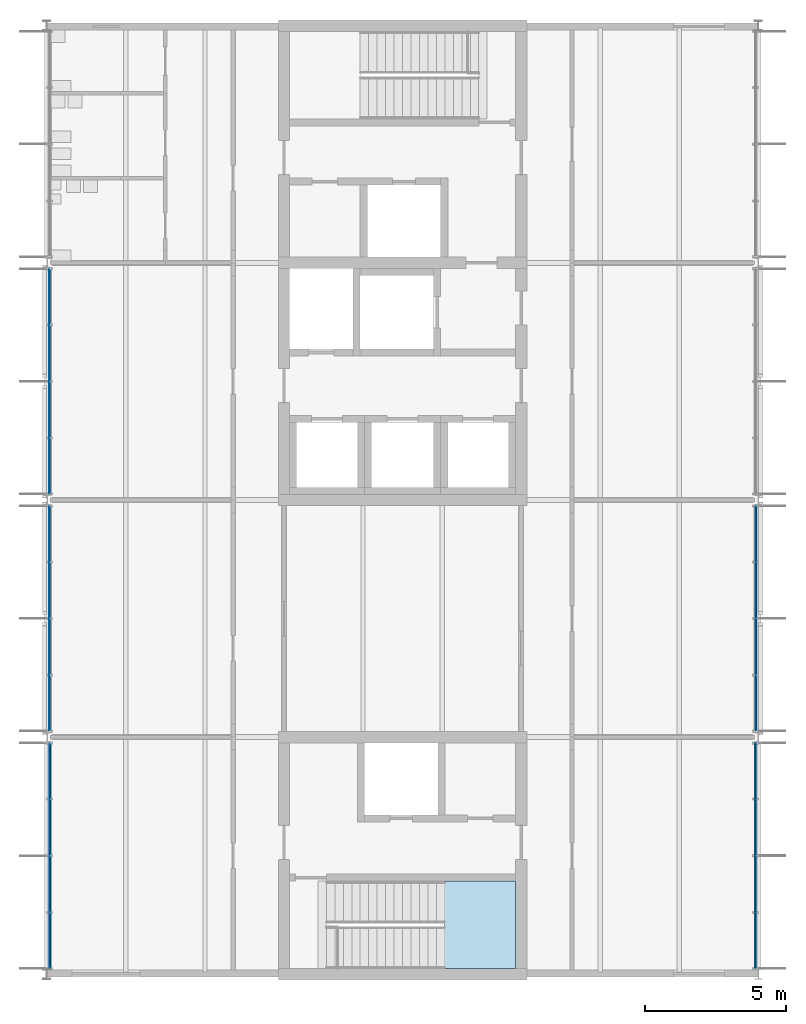
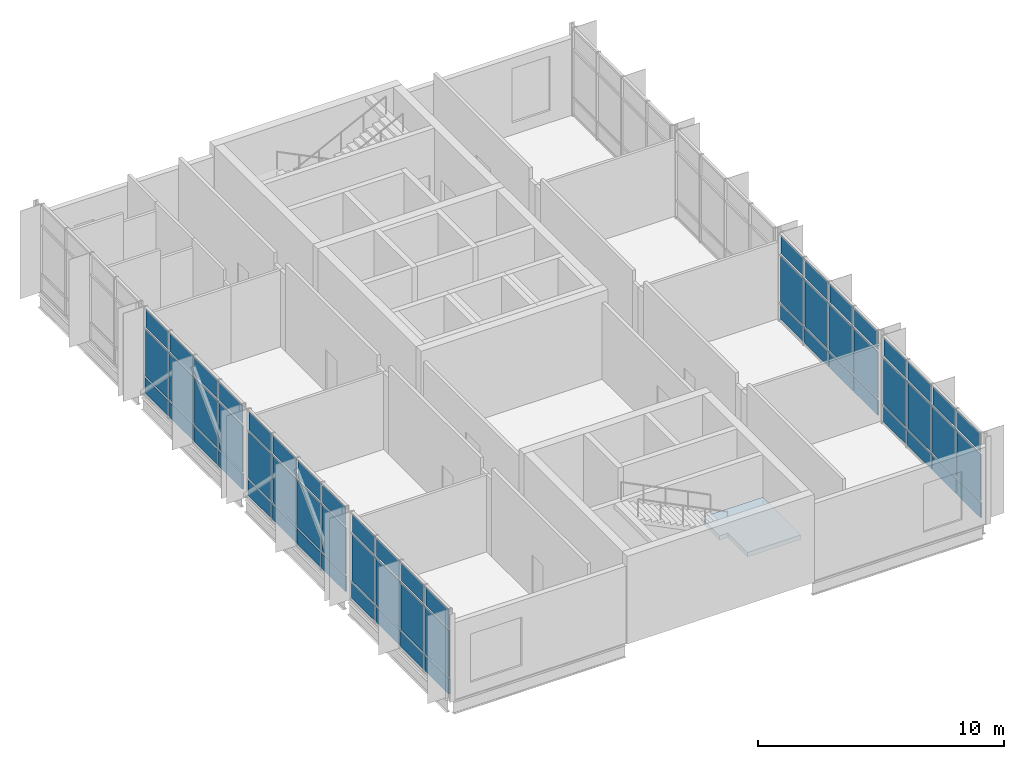
# One storey, part 7 of 17: 60 plates, 1 slab, 6 elements without a shape of their own.
"""IFC4 building model written with IfcOpenShell, lengths in metres."""

from ifc_helpers import new_model, si_unit, direction, frame, origin, origin_2d, place, context, subcontext, project, spatial, polyline, rectangle, outline, extrude, material, layer, layer_set, type_object, element, aggregate, save


model = new_model("IFC4")

# Units and contexts
model_context = context("Model", 3, precision=1e-05, world=origin(), true_north=direction((0.0, 1.0)))
body_context = subcontext(model_context, "Body", "Model", "MODEL_VIEW")
ifc_project = project(units=[si_unit("LENGTHUNIT", "METRE"), si_unit("AREAUNIT", "SQUARE_METRE"), si_unit("VOLUMEUNIT", "CUBIC_METRE"), si_unit("PLANEANGLEUNIT", "RADIAN"), si_unit("MASSUNIT", "GRAM", prefix="KILO")], contexts=[model_context])

# Site, building, storey
site_placement = place(None, origin())
site = spatial("IfcSite", under=ifc_project, at=site_placement, CompositionType="ELEMENT")
building_placement = place(site_placement, origin())
building = spatial("IfcBuilding", under=site, at=building_placement, Name="Hlaing Beacon Police Headquarters", CompositionType="ELEMENT")
storey_placement = place(building_placement, frame((0.0, 0.0, 36.89990234375)))
storey = spatial("IfcBuildingStorey", under=building, at=storey_placement, Name="L08", CompositionType="ELEMENT", Elevation=36.89990234375)

# Curtain wall, plates
ifc_material_1 = material(Name="Aluminium frame with solar control glazing", Category="aluminium")
curtain_wall_type = type_object("IfcCurtainWallType", Name="Unitised curtain wall 8.04 x 4.37", PredefinedType="NOTDEFINED", material=ifc_material_1)
curtain_wall_1_placement = place(storey_placement, origin())
curtain_wall_1 = element("IfcCurtainWall", 1, at=curtain_wall_1_placement, inside=storey, type_object=curtain_wall_type, Name="ENV-CW-L08-E001", PredefinedType="NOTDEFINED")
ifc_material_2 = material(Name="Solar control glazing", Category="glass")
ifc_layer_1 = layer(ifc_material_2, 0.0439453125)
ifc_layer_set_1 = layer_set([ifc_layer_1], Name="Solar control glazing")
plate_type_1 = type_object("IfcPlateType", Name="Clear glazing panel 44", PredefinedType="CURTAIN_PANEL", material=ifc_layer_set_1)
plate_1_placement = place(storey_placement, frame((125.89990234375, 36.79541015625, 0.9501953125), z_axis=(0.0, 0.0, 1.0), x_axis=(0.0, 1.0, 0.0)))
plate_1 = element("IfcPlate", 2, at=plate_1_placement, type_object=plate_type_1, Name="CW-L08-E001 panel 2.2", PredefinedType="CURTAIN_PANEL", context=body_context, shape_type="SweptSolid", body=[
    extrude(rectangle(XDim=1.94921875, YDim=0.0439453125, at=origin_2d()), origin(), (0.0, 0.0, 1.0), 2.300048828125),
])
plate_2_placement = place(storey_placement, frame((125.89990234375, 40.798828125, 0.9501953125), z_axis=(0.0, 0.0, 1.0), x_axis=(0.0, 1.0, 0.0)))
plate_2 = element("IfcPlate", 3, at=plate_2_placement, type_object=plate_type_1, Name="CW-L08-E001 panel 4.2", PredefinedType="CURTAIN_PANEL", context=body_context, shape_type="SweptSolid", body=[
    extrude(rectangle(XDim=1.919189453125, YDim=0.0439453125, at=origin_2d()), origin(), (0.0, 0.0, 1.0), 2.300048828125),
])

curtain_wall_2_placement = place(storey_placement, origin())
curtain_wall_2 = element("IfcCurtainWall", 4, at=curtain_wall_2_placement, inside=storey, type_object=curtain_wall_type, Name="ENV-CW-L08-E002", PredefinedType="NOTDEFINED")
plate_3_placement = place(storey_placement, frame((125.909912109375, 45.1953125, 0.9501953125), z_axis=(0.0, 0.0, 1.0), x_axis=(0.0, 1.0, 0.0)))
plate_3 = element("IfcPlate", 5, at=plate_3_placement, type_object=plate_type_1, Name="CW-L08-E002 panel 2.2", PredefinedType="CURTAIN_PANEL", context=body_context, shape_type="SweptSolid", body=[
    extrude(rectangle(XDim=1.94921875, YDim=0.0439453125, at=origin_2d()), origin(), (0.0, 0.0, 1.0), 2.300048828125),
])
plate_4_placement = place(storey_placement, frame((125.909912109375, 49.19873046875, 0.9501953125), z_axis=(0.0, 0.0, 1.0), x_axis=(0.0, 1.0, 0.0)))
plate_4 = element("IfcPlate", 6, at=plate_4_placement, type_object=plate_type_1, Name="CW-L08-E002 panel 4.2", PredefinedType="CURTAIN_PANEL", context=body_context, shape_type="SweptSolid", body=[
    extrude(rectangle(XDim=1.919189453125, YDim=0.0439453125, at=origin_2d()), origin(), (0.0, 0.0, 1.0), 2.300048828125),
])

curtain_wall_3_placement = place(storey_placement, origin())
curtain_wall_3 = element("IfcCurtainWall", 7, at=curtain_wall_3_placement, inside=storey, type_object=curtain_wall_type, Name="ENV-CW-L08-W006", PredefinedType="NOTDEFINED")
plate_5_placement = place(storey_placement, frame((100.889892578125, 55.6044921875, 0.9501953125), z_axis=(0.0, 0.0, 1.0), x_axis=(0.0, -1.0, 0.0)))
plate_5 = element("IfcPlate", 8, at=plate_5_placement, type_object=plate_type_1, Name="CW-L08-W006 panel 2.2", PredefinedType="CURTAIN_PANEL", context=body_context, shape_type="SweptSolid", body=[
    extrude(rectangle(XDim=1.94921875, YDim=0.0439453125, at=origin_2d()), origin(), (0.0, 0.0, 1.0), 2.300048828125),
])
plate_6_placement = place(storey_placement, frame((100.889892578125, 51.601318359375, 0.9501953125), z_axis=(0.0, 0.0, 1.0), x_axis=(0.0, -1.0, 0.0)))
plate_6 = element("IfcPlate", 9, at=plate_6_placement, type_object=plate_type_1, Name="CW-L08-W006 panel 4.2", PredefinedType="CURTAIN_PANEL", context=body_context, shape_type="SweptSolid", body=[
    extrude(rectangle(XDim=1.919189453125, YDim=0.0439453125, at=origin_2d()), origin(), (0.0, 0.0, 1.0), 2.300048828125),
])

curtain_wall_4_placement = place(storey_placement, origin())
curtain_wall_4 = element("IfcCurtainWall", 10, at=curtain_wall_4_placement, inside=storey, type_object=curtain_wall_type, Name="ENV-CW-L08-W007", PredefinedType="NOTDEFINED")
plate_7_placement = place(storey_placement, frame((100.889892578125, 47.20458984375, 0.9501953125), z_axis=(0.0, 0.0, 1.0), x_axis=(0.0, -1.0, 0.0)))
plate_7 = element("IfcPlate", 11, at=plate_7_placement, type_object=plate_type_1, Name="CW-L08-W007 panel 2.2", PredefinedType="CURTAIN_PANEL", context=body_context, shape_type="SweptSolid", body=[
    extrude(rectangle(XDim=1.94921875, YDim=0.0439453125, at=origin_2d()), origin(), (0.0, 0.0, 1.0), 2.300048828125),
])
plate_8_placement = place(storey_placement, frame((100.889892578125, 43.201171875, 0.9501953125), z_axis=(0.0, 0.0, 1.0), x_axis=(0.0, -1.0, 0.0)))
plate_8 = element("IfcPlate", 12, at=plate_8_placement, type_object=plate_type_1, Name="CW-L08-W007 panel 4.2", PredefinedType="CURTAIN_PANEL", context=body_context, shape_type="SweptSolid", body=[
    extrude(rectangle(XDim=1.919189453125, YDim=0.0439453125, at=origin_2d()), origin(), (0.0, 0.0, 1.0), 2.300048828125),
])

curtain_wall_5_placement = place(storey_placement, origin())
curtain_wall_5 = element("IfcCurtainWall", 13, at=curtain_wall_5_placement, inside=storey, type_object=curtain_wall_type, Name="ENV-CW-L08-W008", PredefinedType="NOTDEFINED")
plate_9_placement = place(storey_placement, frame((100.89990234375, 38.802734375, 0.9501953125), z_axis=(0.0, 0.0, 1.0), x_axis=(0.0, -1.0, 0.0)))
plate_9 = element("IfcPlate", 14, at=plate_9_placement, type_object=plate_type_1, Name="CW-L08-W008 panel 2.2", PredefinedType="CURTAIN_PANEL", context=body_context, shape_type="SweptSolid", body=[
    extrude(rectangle(XDim=1.950439453125, YDim=0.0439453125, at=origin_2d()), origin(), (0.0, 0.0, 1.0), 2.300048828125),
])
plate_10_placement = place(storey_placement, frame((100.89990234375, 34.796630859375, 0.9501953125), z_axis=(0.0, 0.0, 1.0), x_axis=(0.0, -1.0, 0.0)))
plate_10 = element("IfcPlate", 15, at=plate_10_placement, type_object=plate_type_1, Name="CW-L08-W008 panel 4.2", PredefinedType="CURTAIN_PANEL", context=body_context, shape_type="SweptSolid", body=[
    extrude(rectangle(XDim=1.92041015625, YDim=0.0439453125, at=origin_2d()), origin(), (0.0, 0.0, 1.0), 2.300048828125),
])

# Plate
ifc_material_3 = material(Name="Fritted solar control glazing", Category="glass")
ifc_layer_2 = layer(ifc_material_3, 0.0439453125)
ifc_layer_set_2 = layer_set([ifc_layer_2], Name="Fritted solar control glazing")
plate_type_2 = type_object("IfcPlateType", Name="Fritted glazing panel 44", PredefinedType="CURTAIN_PANEL", material=ifc_layer_set_2)
plate_11_placement = place(storey_placement, frame((125.89990234375, 34.80126953125, 0.9501953125), z_axis=(0.0, 0.0, 1.0), x_axis=(0.0, 1.0, 0.0)))
plate_11 = element("IfcPlate", 16, at=plate_11_placement, type_object=plate_type_2, Name="CW-L08-E001 panel 1.2", PredefinedType="CURTAIN_PANEL", context=body_context, shape_type="SweptSolid", body=[
    extrude(rectangle(XDim=1.919189453125, YDim=0.0439453125, at=origin_2d()), origin(), (0.0, 0.0, 1.0), 2.300048828125),
])

plate_12_placement = place(storey_placement, frame((125.89990234375, 38.8046875, 0.9501953125), z_axis=(0.0, 0.0, 1.0), x_axis=(0.0, 1.0, 0.0)))
plate_12 = element("IfcPlate", 17, at=plate_12_placement, type_object=plate_type_2, Name="CW-L08-E001 panel 3.2", PredefinedType="CURTAIN_PANEL", context=body_context, shape_type="SweptSolid", body=[
    extrude(rectangle(XDim=1.94921875, YDim=0.0439453125, at=origin_2d()), origin(), (0.0, 0.0, 1.0), 2.300048828125),
])

plate_13_placement = place(storey_placement, frame((125.909912109375, 43.201171875, 0.9501953125), z_axis=(0.0, 0.0, 1.0), x_axis=(0.0, 1.0, 0.0)))
plate_13 = element("IfcPlate", 18, at=plate_13_placement, type_object=plate_type_2, Name="CW-L08-E002 panel 1.2", PredefinedType="CURTAIN_PANEL", context=body_context, shape_type="SweptSolid", body=[
    extrude(rectangle(XDim=1.919189453125, YDim=0.0439453125, at=origin_2d()), origin(), (0.0, 0.0, 1.0), 2.300048828125),
])

plate_14_placement = place(storey_placement, frame((125.909912109375, 47.20458984375, 0.9501953125), z_axis=(0.0, 0.0, 1.0), x_axis=(0.0, 1.0, 0.0)))
plate_14 = element("IfcPlate", 19, at=plate_14_placement, type_object=plate_type_2, Name="CW-L08-E002 panel 3.2", PredefinedType="CURTAIN_PANEL", context=body_context, shape_type="SweptSolid", body=[
    extrude(rectangle(XDim=1.94921875, YDim=0.0439453125, at=origin_2d()), origin(), (0.0, 0.0, 1.0), 2.300048828125),
])

plate_15_placement = place(storey_placement, frame((100.889892578125, 57.598876953125, 0.9501953125), z_axis=(0.0, 0.0, 1.0), x_axis=(0.0, -1.0, 0.0)))
plate_15 = element("IfcPlate", 20, at=plate_15_placement, type_object=plate_type_2, Name="CW-L08-W006 panel 1.2", PredefinedType="CURTAIN_PANEL", context=body_context, shape_type="SweptSolid", body=[
    extrude(rectangle(XDim=1.919189453125, YDim=0.0439453125, at=origin_2d()), origin(), (0.0, 0.0, 1.0), 2.300048828125),
])

plate_16_placement = place(storey_placement, frame((100.889892578125, 53.595458984375, 0.9501953125), z_axis=(0.0, 0.0, 1.0), x_axis=(0.0, -1.0, 0.0)))
plate_16 = element("IfcPlate", 21, at=plate_16_placement, type_object=plate_type_2, Name="CW-L08-W006 panel 3.2", PredefinedType="CURTAIN_PANEL", context=body_context, shape_type="SweptSolid", body=[
    extrude(rectangle(XDim=1.94921875, YDim=0.0439453125, at=origin_2d()), origin(), (0.0, 0.0, 1.0), 2.300048828125),
])

plate_17_placement = place(storey_placement, frame((100.889892578125, 49.19873046875, 0.9501953125), z_axis=(0.0, 0.0, 1.0), x_axis=(0.0, -1.0, 0.0)))
plate_17 = element("IfcPlate", 22, at=plate_17_placement, type_object=plate_type_2, Name="CW-L08-W007 panel 1.2", PredefinedType="CURTAIN_PANEL", context=body_context, shape_type="SweptSolid", body=[
    extrude(rectangle(XDim=1.919189453125, YDim=0.0439453125, at=origin_2d()), origin(), (0.0, 0.0, 1.0), 2.300048828125),
])

plate_18_placement = place(storey_placement, frame((100.889892578125, 45.1953125, 0.9501953125), z_axis=(0.0, 0.0, 1.0), x_axis=(0.0, -1.0, 0.0)))
plate_18 = element("IfcPlate", 23, at=plate_18_placement, type_object=plate_type_2, Name="CW-L08-W007 panel 3.2", PredefinedType="CURTAIN_PANEL", context=body_context, shape_type="SweptSolid", body=[
    extrude(rectangle(XDim=1.94921875, YDim=0.0439453125, at=origin_2d()), origin(), (0.0, 0.0, 1.0), 2.300048828125),
])

plate_19_placement = place(storey_placement, frame((100.89990234375, 40.798095703125, 0.9501953125), z_axis=(0.0, 0.0, 1.0), x_axis=(0.0, -1.0, 0.0)))
plate_19 = element("IfcPlate", 24, at=plate_19_placement, type_object=plate_type_2, Name="CW-L08-W008 panel 1.2", PredefinedType="CURTAIN_PANEL", context=body_context, shape_type="SweptSolid", body=[
    extrude(rectangle(XDim=1.92041015625, YDim=0.0439453125, at=origin_2d()), origin(), (0.0, 0.0, 1.0), 2.300048828125),
])

plate_20_placement = place(storey_placement, frame((100.89990234375, 36.792236328125, 0.9501953125), z_axis=(0.0, 0.0, 1.0), x_axis=(0.0, -1.0, 0.0)))
plate_20 = element("IfcPlate", 25, at=plate_20_placement, type_object=plate_type_2, Name="CW-L08-W008 panel 3.2", PredefinedType="CURTAIN_PANEL", context=body_context, shape_type="SweptSolid", body=[
    extrude(rectangle(XDim=1.950439453125, YDim=0.0439453125, at=origin_2d()), origin(), (0.0, 0.0, 1.0), 2.300048828125),
])

ifc_material_4 = material(Name="Insulated aluminium spandrel", Category="aluminium")
ifc_layer_3 = layer(ifc_material_4, 0.06005859375)
ifc_layer_set_3 = layer_set([ifc_layer_3], Name="Insulated aluminium spandrel")
plate_type_3 = type_object("IfcPlateType", Name="Insulated spandrel panel 60", PredefinedType="CURTAIN_PANEL", material=ifc_layer_set_3)
plate_21_placement = place(storey_placement, frame((125.89990234375, 34.80126953125, 0.10009765625), z_axis=(0.0, 0.0, 1.0), x_axis=(0.0, 1.0, 0.0)))
plate_21 = element("IfcPlate", 26, at=plate_21_placement, type_object=plate_type_3, Name="CW-L08-E001 panel 1.1", PredefinedType="CURTAIN_PANEL", context=body_context, shape_type="SweptSolid", body=[
    extrude(rectangle(XDim=1.919189453125, YDim=0.06005859375, at=origin_2d()), origin(), (0.0, 0.0, 1.0), 0.75),
])

plate_22_placement = place(storey_placement, frame((125.89990234375, 36.79541015625, 0.10009765625), z_axis=(0.0, 0.0, 1.0), x_axis=(0.0, 1.0, 0.0)))
plate_22 = element("IfcPlate", 27, at=plate_22_placement, type_object=plate_type_3, Name="CW-L08-E001 panel 2.1", PredefinedType="CURTAIN_PANEL", context=body_context, shape_type="SweptSolid", body=[
    extrude(rectangle(XDim=1.94921875, YDim=0.06005859375, at=origin_2d()), origin(), (0.0, 0.0, 1.0), 0.75),
])

plate_23_placement = place(storey_placement, frame((125.89990234375, 38.8046875, 0.10009765625), z_axis=(0.0, 0.0, 1.0), x_axis=(0.0, 1.0, 0.0)))
plate_23 = element("IfcPlate", 28, at=plate_23_placement, type_object=plate_type_3, Name="CW-L08-E001 panel 3.1", PredefinedType="CURTAIN_PANEL", context=body_context, shape_type="SweptSolid", body=[
    extrude(rectangle(XDim=1.94921875, YDim=0.06005859375, at=origin_2d()), origin(), (0.0, 0.0, 1.0), 0.75),
])

plate_24_placement = place(storey_placement, frame((125.89990234375, 40.798828125, 0.10009765625), z_axis=(0.0, 0.0, 1.0), x_axis=(0.0, 1.0, 0.0)))
plate_24 = element("IfcPlate", 29, at=plate_24_placement, type_object=plate_type_3, Name="CW-L08-E001 panel 4.1", PredefinedType="CURTAIN_PANEL", context=body_context, shape_type="SweptSolid", body=[
    extrude(rectangle(XDim=1.919189453125, YDim=0.06005859375, at=origin_2d()), origin(), (0.0, 0.0, 1.0), 0.75),
])

plate_25_placement = place(storey_placement, frame((125.909912109375, 43.201171875, 0.10009765625), z_axis=(0.0, 0.0, 1.0), x_axis=(0.0, 1.0, 0.0)))
plate_25 = element("IfcPlate", 30, at=plate_25_placement, type_object=plate_type_3, Name="CW-L08-E002 panel 1.1", PredefinedType="CURTAIN_PANEL", context=body_context, shape_type="SweptSolid", body=[
    extrude(rectangle(XDim=1.919189453125, YDim=0.06005859375, at=origin_2d()), origin(), (0.0, 0.0, 1.0), 0.75),
])

plate_26_placement = place(storey_placement, frame((125.909912109375, 45.1953125, 0.10009765625), z_axis=(0.0, 0.0, 1.0), x_axis=(0.0, 1.0, 0.0)))
plate_26 = element("IfcPlate", 31, at=plate_26_placement, type_object=plate_type_3, Name="CW-L08-E002 panel 2.1", PredefinedType="CURTAIN_PANEL", context=body_context, shape_type="SweptSolid", body=[
    extrude(rectangle(XDim=1.94921875, YDim=0.06005859375, at=origin_2d()), origin(), (0.0, 0.0, 1.0), 0.75),
])

plate_27_placement = place(storey_placement, frame((125.909912109375, 47.20458984375, 0.10009765625), z_axis=(0.0, 0.0, 1.0), x_axis=(0.0, 1.0, 0.0)))
plate_27 = element("IfcPlate", 32, at=plate_27_placement, type_object=plate_type_3, Name="CW-L08-E002 panel 3.1", PredefinedType="CURTAIN_PANEL", context=body_context, shape_type="SweptSolid", body=[
    extrude(rectangle(XDim=1.94921875, YDim=0.06005859375, at=origin_2d()), origin(), (0.0, 0.0, 1.0), 0.75),
])

plate_28_placement = place(storey_placement, frame((125.909912109375, 49.19873046875, 0.10009765625), z_axis=(0.0, 0.0, 1.0), x_axis=(0.0, 1.0, 0.0)))
plate_28 = element("IfcPlate", 33, at=plate_28_placement, type_object=plate_type_3, Name="CW-L08-E002 panel 4.1", PredefinedType="CURTAIN_PANEL", context=body_context, shape_type="SweptSolid", body=[
    extrude(rectangle(XDim=1.919189453125, YDim=0.06005859375, at=origin_2d()), origin(), (0.0, 0.0, 1.0), 0.75),
])

ifc_material_5 = material(Name="Insulated aluminium spandrel", Category="aluminium")
ifc_layer_4 = layer(ifc_material_5, 0.080078125)
ifc_layer_set_4 = layer_set([ifc_layer_4], Name="Insulated aluminium spandrel")
plate_type_4 = type_object("IfcPlateType", Name="Insulated spandrel panel 80", PredefinedType="CURTAIN_PANEL", material=ifc_layer_set_4)
plate_29_placement = place(storey_placement, frame((100.889892578125, 57.598876953125, 0.10009765625), z_axis=(0.0, 0.0, 1.0), x_axis=(0.0, -1.0, 0.0)))
plate_29 = element("IfcPlate", 34, at=plate_29_placement, type_object=plate_type_4, Name="CW-L08-W006 panel 1.1", PredefinedType="CURTAIN_PANEL", context=body_context, shape_type="SweptSolid", body=[
    extrude(rectangle(XDim=1.919189453125, YDim=0.080078125, at=origin_2d()), origin(), (0.0, 0.0, 1.0), 0.75),
])

plate_30_placement = place(storey_placement, frame((100.889892578125, 55.6044921875, 0.10009765625), z_axis=(0.0, 0.0, 1.0), x_axis=(0.0, -1.0, 0.0)))
plate_30 = element("IfcPlate", 35, at=plate_30_placement, type_object=plate_type_4, Name="CW-L08-W006 panel 2.1", PredefinedType="CURTAIN_PANEL", context=body_context, shape_type="SweptSolid", body=[
    extrude(rectangle(XDim=1.94921875, YDim=0.080078125, at=origin_2d()), origin(), (0.0, 0.0, 1.0), 0.75),
])

plate_31_placement = place(storey_placement, frame((100.889892578125, 53.595458984375, 0.10009765625), z_axis=(0.0, 0.0, 1.0), x_axis=(0.0, -1.0, 0.0)))
plate_31 = element("IfcPlate", 36, at=plate_31_placement, type_object=plate_type_4, Name="CW-L08-W006 panel 3.1", PredefinedType="CURTAIN_PANEL", context=body_context, shape_type="SweptSolid", body=[
    extrude(rectangle(XDim=1.94921875, YDim=0.080078125, at=origin_2d()), origin(), (0.0, 0.0, 1.0), 0.75),
])

plate_32_placement = place(storey_placement, frame((100.889892578125, 51.601318359375, 0.10009765625), z_axis=(0.0, 0.0, 1.0), x_axis=(0.0, -1.0, 0.0)))
plate_32 = element("IfcPlate", 37, at=plate_32_placement, type_object=plate_type_4, Name="CW-L08-W006 panel 4.1", PredefinedType="CURTAIN_PANEL", context=body_context, shape_type="SweptSolid", body=[
    extrude(rectangle(XDim=1.919189453125, YDim=0.080078125, at=origin_2d()), origin(), (0.0, 0.0, 1.0), 0.75),
])

plate_33_placement = place(storey_placement, frame((100.889892578125, 49.19873046875, 0.10009765625), z_axis=(0.0, 0.0, 1.0), x_axis=(0.0, -1.0, 0.0)))
plate_33 = element("IfcPlate", 38, at=plate_33_placement, type_object=plate_type_4, Name="CW-L08-W007 panel 1.1", PredefinedType="CURTAIN_PANEL", context=body_context, shape_type="SweptSolid", body=[
    extrude(rectangle(XDim=1.919189453125, YDim=0.080078125, at=origin_2d()), origin(), (0.0, 0.0, 1.0), 0.75),
])

plate_34_placement = place(storey_placement, frame((100.889892578125, 47.20458984375, 0.10009765625), z_axis=(0.0, 0.0, 1.0), x_axis=(0.0, -1.0, 0.0)))
plate_34 = element("IfcPlate", 39, at=plate_34_placement, type_object=plate_type_4, Name="CW-L08-W007 panel 2.1", PredefinedType="CURTAIN_PANEL", context=body_context, shape_type="SweptSolid", body=[
    extrude(rectangle(XDim=1.94921875, YDim=0.080078125, at=origin_2d()), origin(), (0.0, 0.0, 1.0), 0.75),
])

plate_35_placement = place(storey_placement, frame((100.889892578125, 45.1953125, 0.10009765625), z_axis=(0.0, 0.0, 1.0), x_axis=(0.0, -1.0, 0.0)))
plate_35 = element("IfcPlate", 40, at=plate_35_placement, type_object=plate_type_4, Name="CW-L08-W007 panel 3.1", PredefinedType="CURTAIN_PANEL", context=body_context, shape_type="SweptSolid", body=[
    extrude(rectangle(XDim=1.94921875, YDim=0.080078125, at=origin_2d()), origin(), (0.0, 0.0, 1.0), 0.75),
])

plate_36_placement = place(storey_placement, frame((100.889892578125, 43.201171875, 0.10009765625), z_axis=(0.0, 0.0, 1.0), x_axis=(0.0, -1.0, 0.0)))
plate_36 = element("IfcPlate", 41, at=plate_36_placement, type_object=plate_type_4, Name="CW-L08-W007 panel 4.1", PredefinedType="CURTAIN_PANEL", context=body_context, shape_type="SweptSolid", body=[
    extrude(rectangle(XDim=1.919189453125, YDim=0.080078125, at=origin_2d()), origin(), (0.0, 0.0, 1.0), 0.75),
])

plate_37_placement = place(storey_placement, frame((100.89990234375, 40.798095703125, 0.10009765625), z_axis=(0.0, 0.0, 1.0), x_axis=(0.0, -1.0, 0.0)))
plate_37 = element("IfcPlate", 42, at=plate_37_placement, type_object=plate_type_4, Name="CW-L08-W008 panel 1.1", PredefinedType="CURTAIN_PANEL", context=body_context, shape_type="SweptSolid", body=[
    extrude(rectangle(XDim=1.92041015625, YDim=0.080078125, at=origin_2d()), origin(), (0.0, 0.0, 1.0), 0.75),
])

plate_38_placement = place(storey_placement, frame((100.89990234375, 38.802734375, 0.10009765625), z_axis=(0.0, 0.0, 1.0), x_axis=(0.0, -1.0, 0.0)))
plate_38 = element("IfcPlate", 43, at=plate_38_placement, type_object=plate_type_4, Name="CW-L08-W008 panel 2.1", PredefinedType="CURTAIN_PANEL", context=body_context, shape_type="SweptSolid", body=[
    extrude(rectangle(XDim=1.950439453125, YDim=0.080078125, at=origin_2d()), origin(), (0.0, 0.0, 1.0), 0.75),
])

plate_39_placement = place(storey_placement, frame((100.89990234375, 36.792236328125, 0.10009765625), z_axis=(0.0, 0.0, 1.0), x_axis=(0.0, -1.0, 0.0)))
plate_39 = element("IfcPlate", 44, at=plate_39_placement, type_object=plate_type_4, Name="CW-L08-W008 panel 3.1", PredefinedType="CURTAIN_PANEL", context=body_context, shape_type="SweptSolid", body=[
    extrude(rectangle(XDim=1.950439453125, YDim=0.080078125, at=origin_2d()), origin(), (0.0, 0.0, 1.0), 0.75),
])

plate_40_placement = place(storey_placement, frame((100.89990234375, 34.796630859375, 0.10009765625), z_axis=(0.0, 0.0, 1.0), x_axis=(0.0, -1.0, 0.0)))
plate_40 = element("IfcPlate", 45, at=plate_40_placement, type_object=plate_type_4, Name="CW-L08-W008 panel 4.1", PredefinedType="CURTAIN_PANEL", context=body_context, shape_type="SweptSolid", body=[
    extrude(rectangle(XDim=1.92041015625, YDim=0.080078125, at=origin_2d()), origin(), (0.0, 0.0, 1.0), 0.75),
])

ifc_material_6 = material(Name="Perforated aluminium", Category="aluminium")
ifc_layer_5 = layer(ifc_material_6, 0.00390625)
ifc_layer_set_5 = layer_set([ifc_layer_5], Name="Perforated aluminium")
plate_type_5 = type_object("IfcPlateType", Name="Perforated aluminium vent panel 4", PredefinedType="CURTAIN_PANEL", material=ifc_layer_set_5)
plate_41_placement = place(storey_placement, frame((125.89990234375, 34.80126953125, 3.35009765625), z_axis=(0.0, 0.0, 1.0), x_axis=(0.0, 1.0, 0.0)))
plate_41 = element("IfcPlate", 46, at=plate_41_placement, type_object=plate_type_5, Name="CW-L08-E001 panel 1.3", PredefinedType="CURTAIN_PANEL", context=body_context, shape_type="SweptSolid", body=[
    extrude(rectangle(XDim=1.919189453125, YDim=0.00390625, at=origin_2d()), origin(), (0.0, 0.0, 1.0), 0.919921875),
])

plate_42_placement = place(storey_placement, frame((125.89990234375, 36.79541015625, 3.35009765625), z_axis=(0.0, 0.0, 1.0), x_axis=(0.0, 1.0, 0.0)))
plate_42 = element("IfcPlate", 47, at=plate_42_placement, type_object=plate_type_5, Name="CW-L08-E001 panel 2.3", PredefinedType="CURTAIN_PANEL", context=body_context, shape_type="SweptSolid", body=[
    extrude(rectangle(XDim=1.94921875, YDim=0.00390625, at=origin_2d()), origin(), (0.0, 0.0, 1.0), 0.919921875),
])

plate_43_placement = place(storey_placement, frame((125.89990234375, 38.8046875, 3.35009765625), z_axis=(0.0, 0.0, 1.0), x_axis=(0.0, 1.0, 0.0)))
plate_43 = element("IfcPlate", 48, at=plate_43_placement, type_object=plate_type_5, Name="CW-L08-E001 panel 3.3", PredefinedType="CURTAIN_PANEL", context=body_context, shape_type="SweptSolid", body=[
    extrude(rectangle(XDim=1.94921875, YDim=0.00390625, at=origin_2d()), origin(), (0.0, 0.0, 1.0), 0.919921875),
])

plate_44_placement = place(storey_placement, frame((125.89990234375, 40.798828125, 3.35009765625), z_axis=(0.0, 0.0, 1.0), x_axis=(0.0, 1.0, 0.0)))
plate_44 = element("IfcPlate", 49, at=plate_44_placement, type_object=plate_type_5, Name="CW-L08-E001 panel 4.3", PredefinedType="CURTAIN_PANEL", context=body_context, shape_type="SweptSolid", body=[
    extrude(rectangle(XDim=1.919189453125, YDim=0.00390625, at=origin_2d()), origin(), (0.0, 0.0, 1.0), 0.919921875),
])

aggregate(curtain_wall_1, [plate_21, plate_11, plate_41, plate_22, plate_1, plate_42, plate_23, plate_12, plate_43, plate_24, plate_2, plate_44])

plate_45_placement = place(storey_placement, frame((125.909912109375, 43.201171875, 3.35009765625), z_axis=(0.0, 0.0, 1.0), x_axis=(0.0, 1.0, 0.0)))
plate_45 = element("IfcPlate", 50, at=plate_45_placement, type_object=plate_type_5, Name="CW-L08-E002 panel 1.3", PredefinedType="CURTAIN_PANEL", context=body_context, shape_type="SweptSolid", body=[
    extrude(rectangle(XDim=1.919189453125, YDim=0.00390625, at=origin_2d()), origin(), (0.0, 0.0, 1.0), 0.919921875),
])

plate_46_placement = place(storey_placement, frame((125.909912109375, 45.1953125, 3.35009765625), z_axis=(0.0, 0.0, 1.0), x_axis=(0.0, 1.0, 0.0)))
plate_46 = element("IfcPlate", 51, at=plate_46_placement, type_object=plate_type_5, Name="CW-L08-E002 panel 2.3", PredefinedType="CURTAIN_PANEL", context=body_context, shape_type="SweptSolid", body=[
    extrude(rectangle(XDim=1.94921875, YDim=0.00390625, at=origin_2d()), origin(), (0.0, 0.0, 1.0), 0.919921875),
])

plate_47_placement = place(storey_placement, frame((125.909912109375, 47.20458984375, 3.35009765625), z_axis=(0.0, 0.0, 1.0), x_axis=(0.0, 1.0, 0.0)))
plate_47 = element("IfcPlate", 52, at=plate_47_placement, type_object=plate_type_5, Name="CW-L08-E002 panel 3.3", PredefinedType="CURTAIN_PANEL", context=body_context, shape_type="SweptSolid", body=[
    extrude(rectangle(XDim=1.94921875, YDim=0.00390625, at=origin_2d()), origin(), (0.0, 0.0, 1.0), 0.919921875),
])

plate_48_placement = place(storey_placement, frame((125.909912109375, 49.19873046875, 3.35009765625), z_axis=(0.0, 0.0, 1.0), x_axis=(0.0, 1.0, 0.0)))
plate_48 = element("IfcPlate", 53, at=plate_48_placement, type_object=plate_type_5, Name="CW-L08-E002 panel 4.3", PredefinedType="CURTAIN_PANEL", context=body_context, shape_type="SweptSolid", body=[
    extrude(rectangle(XDim=1.919189453125, YDim=0.00390625, at=origin_2d()), origin(), (0.0, 0.0, 1.0), 0.919921875),
])

aggregate(curtain_wall_2, [plate_25, plate_13, plate_45, plate_26, plate_3, plate_46, plate_27, plate_14, plate_47, plate_28, plate_4, plate_48])

plate_49_placement = place(storey_placement, frame((100.889892578125, 57.598876953125, 3.35009765625), z_axis=(0.0, 0.0, 1.0), x_axis=(0.0, -1.0, 0.0)))
plate_49 = element("IfcPlate", 54, at=plate_49_placement, type_object=plate_type_5, Name="CW-L08-W006 panel 1.3", PredefinedType="CURTAIN_PANEL", context=body_context, shape_type="SweptSolid", body=[
    extrude(rectangle(XDim=1.919189453125, YDim=0.00390625, at=origin_2d()), origin(), (0.0, 0.0, 1.0), 0.919921875),
])

plate_50_placement = place(storey_placement, frame((100.889892578125, 55.6044921875, 3.35009765625), z_axis=(0.0, 0.0, 1.0), x_axis=(0.0, -1.0, 0.0)))
plate_50 = element("IfcPlate", 55, at=plate_50_placement, type_object=plate_type_5, Name="CW-L08-W006 panel 2.3", PredefinedType="CURTAIN_PANEL", context=body_context, shape_type="SweptSolid", body=[
    extrude(rectangle(XDim=1.94921875, YDim=0.00390625, at=origin_2d()), origin(), (0.0, 0.0, 1.0), 0.919921875),
])

plate_51_placement = place(storey_placement, frame((100.889892578125, 53.595458984375, 3.35009765625), z_axis=(0.0, 0.0, 1.0), x_axis=(0.0, -1.0, 0.0)))
plate_51 = element("IfcPlate", 56, at=plate_51_placement, type_object=plate_type_5, Name="CW-L08-W006 panel 3.3", PredefinedType="CURTAIN_PANEL", context=body_context, shape_type="SweptSolid", body=[
    extrude(rectangle(XDim=1.94921875, YDim=0.00390625, at=origin_2d()), origin(), (0.0, 0.0, 1.0), 0.919921875),
])

plate_52_placement = place(storey_placement, frame((100.889892578125, 51.601318359375, 3.35009765625), z_axis=(0.0, 0.0, 1.0), x_axis=(0.0, -1.0, 0.0)))
plate_52 = element("IfcPlate", 57, at=plate_52_placement, type_object=plate_type_5, Name="CW-L08-W006 panel 4.3", PredefinedType="CURTAIN_PANEL", context=body_context, shape_type="SweptSolid", body=[
    extrude(rectangle(XDim=1.919189453125, YDim=0.00390625, at=origin_2d()), origin(), (0.0, 0.0, 1.0), 0.919921875),
])

aggregate(curtain_wall_3, [plate_29, plate_15, plate_49, plate_30, plate_5, plate_50, plate_31, plate_16, plate_51, plate_32, plate_6, plate_52])

plate_53_placement = place(storey_placement, frame((100.889892578125, 49.19873046875, 3.35009765625), z_axis=(0.0, 0.0, 1.0), x_axis=(0.0, -1.0, 0.0)))
plate_53 = element("IfcPlate", 58, at=plate_53_placement, type_object=plate_type_5, Name="CW-L08-W007 panel 1.3", PredefinedType="CURTAIN_PANEL", context=body_context, shape_type="SweptSolid", body=[
    extrude(rectangle(XDim=1.919189453125, YDim=0.00390625, at=origin_2d()), origin(), (0.0, 0.0, 1.0), 0.919921875),
])

plate_54_placement = place(storey_placement, frame((100.889892578125, 47.20458984375, 3.35009765625), z_axis=(0.0, 0.0, 1.0), x_axis=(0.0, -1.0, 0.0)))
plate_54 = element("IfcPlate", 59, at=plate_54_placement, type_object=plate_type_5, Name="CW-L08-W007 panel 2.3", PredefinedType="CURTAIN_PANEL", context=body_context, shape_type="SweptSolid", body=[
    extrude(rectangle(XDim=1.94921875, YDim=0.00390625, at=origin_2d()), origin(), (0.0, 0.0, 1.0), 0.919921875),
])

plate_55_placement = place(storey_placement, frame((100.889892578125, 45.1953125, 3.35009765625), z_axis=(0.0, 0.0, 1.0), x_axis=(0.0, -1.0, 0.0)))
plate_55 = element("IfcPlate", 60, at=plate_55_placement, type_object=plate_type_5, Name="CW-L08-W007 panel 3.3", PredefinedType="CURTAIN_PANEL", context=body_context, shape_type="SweptSolid", body=[
    extrude(rectangle(XDim=1.94921875, YDim=0.00390625, at=origin_2d()), origin(), (0.0, 0.0, 1.0), 0.919921875),
])

plate_56_placement = place(storey_placement, frame((100.889892578125, 43.201171875, 3.35009765625), z_axis=(0.0, 0.0, 1.0), x_axis=(0.0, -1.0, 0.0)))
plate_56 = element("IfcPlate", 61, at=plate_56_placement, type_object=plate_type_5, Name="CW-L08-W007 panel 4.3", PredefinedType="CURTAIN_PANEL", context=body_context, shape_type="SweptSolid", body=[
    extrude(rectangle(XDim=1.919189453125, YDim=0.00390625, at=origin_2d()), origin(), (0.0, 0.0, 1.0), 0.919921875),
])

aggregate(curtain_wall_4, [plate_33, plate_17, plate_53, plate_34, plate_7, plate_54, plate_35, plate_18, plate_55, plate_36, plate_8, plate_56])

plate_57_placement = place(storey_placement, frame((100.89990234375, 40.798095703125, 3.35009765625), z_axis=(0.0, 0.0, 1.0), x_axis=(0.0, -1.0, 0.0)))
plate_57 = element("IfcPlate", 62, at=plate_57_placement, type_object=plate_type_5, Name="CW-L08-W008 panel 1.3", PredefinedType="CURTAIN_PANEL", context=body_context, shape_type="SweptSolid", body=[
    extrude(rectangle(XDim=1.92041015625, YDim=0.00390625, at=origin_2d()), origin(), (0.0, 0.0, 1.0), 0.919921875),
])

plate_58_placement = place(storey_placement, frame((100.89990234375, 38.802734375, 3.35009765625), z_axis=(0.0, 0.0, 1.0), x_axis=(0.0, -1.0, 0.0)))
plate_58 = element("IfcPlate", 63, at=plate_58_placement, type_object=plate_type_5, Name="CW-L08-W008 panel 2.3", PredefinedType="CURTAIN_PANEL", context=body_context, shape_type="SweptSolid", body=[
    extrude(rectangle(XDim=1.950439453125, YDim=0.00390625, at=origin_2d()), origin(), (0.0, 0.0, 1.0), 0.919921875),
])

plate_59_placement = place(storey_placement, frame((100.89990234375, 36.792236328125, 3.35009765625), z_axis=(0.0, 0.0, 1.0), x_axis=(0.0, -1.0, 0.0)))
plate_59 = element("IfcPlate", 64, at=plate_59_placement, type_object=plate_type_5, Name="CW-L08-W008 panel 3.3", PredefinedType="CURTAIN_PANEL", context=body_context, shape_type="SweptSolid", body=[
    extrude(rectangle(XDim=1.950439453125, YDim=0.00390625, at=origin_2d()), origin(), (0.0, 0.0, 1.0), 0.919921875),
])

plate_60_placement = place(storey_placement, frame((100.89990234375, 34.796630859375, 3.35009765625), z_axis=(0.0, 0.0, 1.0), x_axis=(0.0, -1.0, 0.0)))
plate_60 = element("IfcPlate", 65, at=plate_60_placement, type_object=plate_type_5, Name="CW-L08-W008 panel 4.3", PredefinedType="CURTAIN_PANEL", context=body_context, shape_type="SweptSolid", body=[
    extrude(rectangle(XDim=1.92041015625, YDim=0.00390625, at=origin_2d()), origin(), (0.0, 0.0, 1.0), 0.919921875),
])

aggregate(curtain_wall_5, [plate_37, plate_19, plate_57, plate_38, plate_9, plate_58, plate_39, plate_20, plate_59, plate_40, plate_10, plate_60])

# Stair, slab
ifc_material_7 = material(Name="Concrete C40/50", Category="concrete")
stair_type = type_object("IfcStairType", Name="Half-turn stair 1500 wide, 4500 rise", PredefinedType="HALF_TURN_STAIR", material=ifc_material_7)
stair_placement = place(storey_placement, origin())
stair = element("IfcStair", 66, at=stair_placement, inside=storey, type_object=stair_type, Name="Stair ST-L", PredefinedType="HALF_TURN_STAIR")
ifc_material_8 = material(Name="Concrete C40/50", Category="concrete")
ifc_layer_6 = layer(ifc_material_8, 0.219970703125)
ifc_layer_set_6 = layer_set([ifc_layer_6], Name="Concrete C40/50")
slab_type = type_object("IfcSlabType", Name="Stair landing 220", PredefinedType="LANDING", material=ifc_layer_set_6)
slab_placement = place(storey_placement, frame((0.0, 0.0, 2.030029296875)))
slab = element("IfcSlab", 67, at=slab_placement, type_object=slab_type, Name="ST-L landing 1", PredefinedType="LANDING", context=body_context, shape_type="SweptSolid", body=[
    extrude(outline(polyline([(114.889892578125, 33.800048828125), (117.39990234375, 33.800048828125), (117.39990234375, 36.89990234375), (114.5, 36.89990234375), (114.5, 35.39990234375), (114.889892578125, 35.39990234375), (114.889892578125, 33.800048828125)])), origin(), (0.0, 0.0, 1.0), 0.219970703125),
])
aggregate(stair, [slab])

save(model, "model.ifc")
